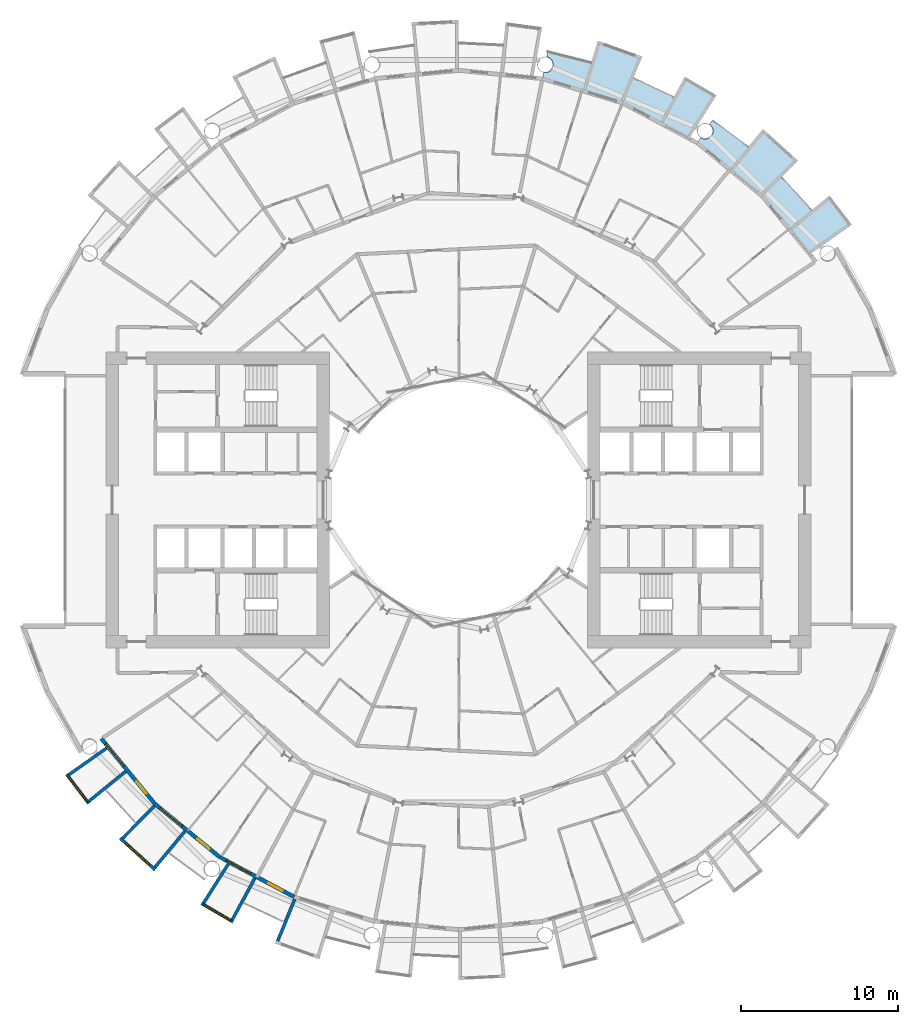
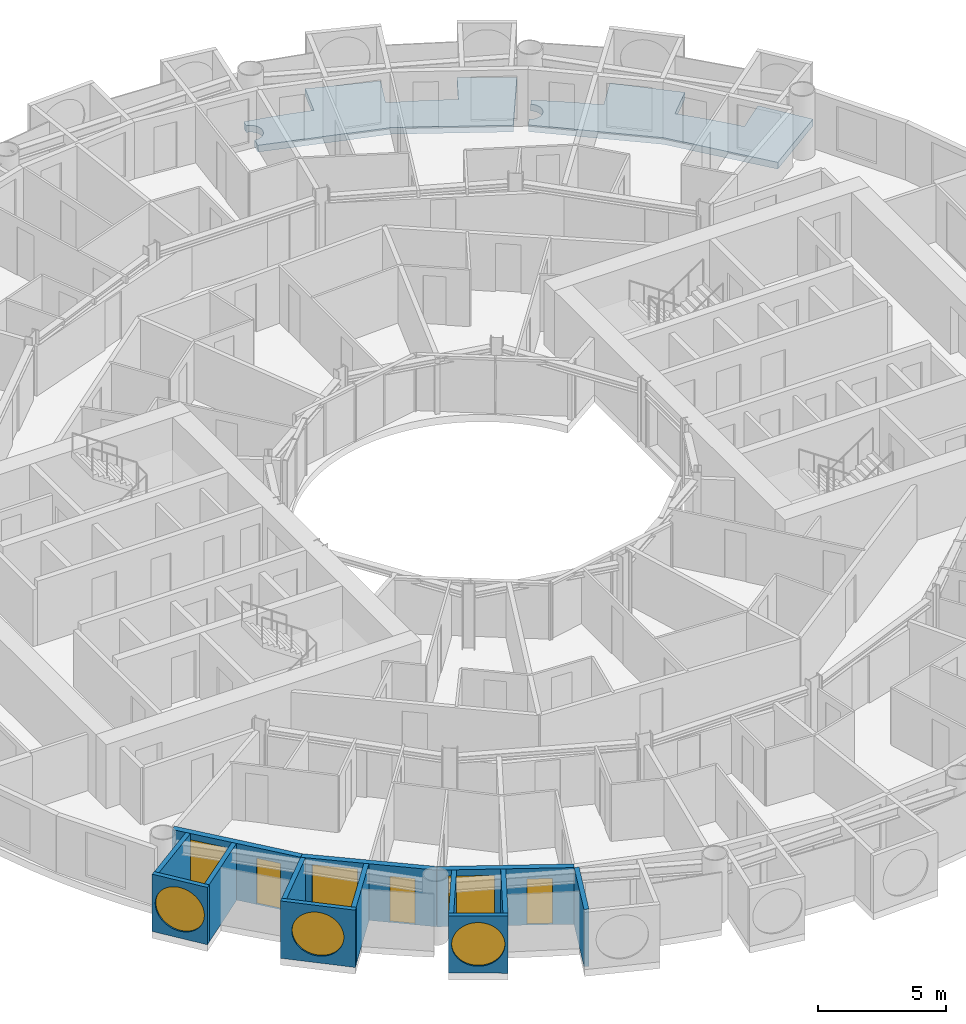
# One storey, part 12 of 25: 13 walls, 6 windows, 3 doors, 2 slabs, 9 openings.
"""IFC4 building model written with IfcOpenShell, lengths in metres."""

from ifc_helpers import new_model, si_unit, direction, frame, frame_2d, origin, place, context, subcontext, project, spatial, polyline, rectangle, circle, outline, extrude, material, layer, layer_set, type_object, element, fill, save


model = new_model("IFC4")

# Units and contexts
model_context = context("Model", 3, precision=1e-05, world=origin(), true_north=direction((0.0, 1.0)))
body_context = subcontext(model_context, "Body", "Model", "MODEL_VIEW")
ifc_project = project(units=[si_unit("LENGTHUNIT", "METRE"), si_unit("AREAUNIT", "SQUARE_METRE"), si_unit("VOLUMEUNIT", "CUBIC_METRE"), si_unit("PLANEANGLEUNIT", "RADIAN"), si_unit("MASSUNIT", "GRAM", prefix="KILO")], contexts=[model_context])

# Site, building, storey
site_placement = place(None, origin())
site = spatial("IfcSite", under=ifc_project, at=site_placement, CompositionType="ELEMENT")
building_placement = place(site_placement, origin())
building = spatial("IfcBuilding", under=site, at=building_placement, Name="Maasbend Ring Residences", CompositionType="ELEMENT")
storey_placement = place(building_placement, frame((0.0, 0.0, 41.10009765625)))
storey = spatial("IfcBuildingStorey", under=building, at=storey_placement, Name="L11", CompositionType="ELEMENT", Elevation=41.10009765625)

# Slabs
ifc_material_1 = material(Name="Concrete C40/50", Category="concrete")
ifc_layer_1 = layer(ifc_material_1, 0.199951171875)
ifc_layer_set_1 = layer_set([ifc_layer_1], Name="Concrete C40/50")
slab_type = type_object("IfcSlabType", Name="SL-LOGGIA", PredefinedType="FLOOR", material=ifc_layer_set_1)
slab_1_placement = place(storey_placement, frame((0.0, 0.0, -0.35009765625)))
element("IfcSlab", 1, at=slab_1_placement, inside=storey, type_object=slab_type, Name="Loggia floor 2", PredefinedType="FLOOR", context=body_context, shape_type="SweptSolid", body=[
    extrude(outline(polyline([(5.43896484375, 27.154052734375), (5.451904296875, 27.153076171875), (5.464111328125, 27.15087890625), (5.47705078125, 27.15087890625), (5.489013671875, 27.14990234375), (5.501953125, 27.14990234375), (5.513916015625, 27.14990234375), (5.52587890625, 27.15087890625), (5.5390625, 27.15087890625), (5.551025390625, 27.153076171875), (5.56396484375, 27.154052734375), (5.575927734375, 27.156005859375), (5.587890625, 27.157958984375), (5.60107421875, 27.159912109375), (5.613037109375, 27.162109375), (5.625, 27.1650390625), (5.636962890625, 27.1689453125), (5.64892578125, 27.172119140625), (5.660888671875, 27.176025390625), (5.673095703125, 27.179931640625), (5.68408203125, 27.18408203125), (5.696044921875, 27.18896484375), (5.70703125, 27.194091796875), (5.718994140625, 27.198974609375), (5.72998046875, 27.2041015625), (5.740966796875, 27.2099609375), (5.751953125, 27.216064453125), (5.762939453125, 27.221923828125), (5.77294921875, 27.22900390625), (5.783935546875, 27.236083984375), (5.7939453125, 27.242919921875), (5.803955078125, 27.25), (5.81396484375, 27.258056640625), (5.823974609375, 27.264892578125), (5.8330078125, 27.27294921875), (5.843017578125, 27.281982421875), (5.85205078125, 27.2900390625), (5.861083984375, 27.299072265625), (5.868896484375, 27.30810546875), (5.8779296875, 27.31689453125), (5.885986328125, 27.325927734375), (5.89404296875, 27.3359375), (5.902099609375, 27.345947265625), (5.909912109375, 27.35498046875), (5.9169921875, 27.365966796875), (5.924072265625, 27.3759765625), (5.930908203125, 27.385986328125), (5.93701171875, 27.39697265625), (5.944091796875, 27.407958984375), (5.949951171875, 27.4189453125), (5.955078125, 27.429931640625), (5.9609375, 27.44091796875), (5.966064453125, 27.451904296875), (5.970947265625, 27.464111328125), (5.97509765625, 27.47509765625), (5.97998046875, 27.487060546875), (5.98388671875, 27.4990234375), (5.988037109375, 27.510986328125), (5.990966796875, 27.52294921875), (5.993896484375, 27.534912109375), (5.9970703125, 27.547119140625), (6.0, 27.55908203125), (6.001953125, 27.571044921875), (6.00390625, 27.583984375), (6.006103515625, 27.595947265625), (6.007080078125, 27.60791015625), (6.008056640625, 27.62109375), (6.009033203125, 27.633056640625), (6.009033203125, 27.64599609375), (6.010009765625, 27.657958984375), (6.009033203125, 27.6708984375), (6.009033203125, 27.68310546875), (6.008056640625, 27.695068359375), (6.007080078125, 27.7080078125), (6.006103515625, 27.719970703125), (6.00390625, 27.73291015625), (6.001953125, 27.7451171875), (6.0, 27.757080078125), (5.9970703125, 27.76904296875), (5.993896484375, 27.781982421875), (5.990966796875, 27.7939453125), (5.988037109375, 27.805908203125), (5.98388671875, 27.81689453125), (5.97998046875, 27.8291015625), (5.97509765625, 27.841064453125), (5.970947265625, 27.85302734375), (5.966064453125, 27.864013671875), (5.9609375, 27.875), (5.955078125, 27.886962890625), (5.949951171875, 27.89794921875), (5.944091796875, 27.907958984375), (5.93701171875, 27.9189453125), (5.930908203125, 27.929931640625), (5.924072265625, 27.93994140625), (5.9169921875, 27.950927734375), (5.909912109375, 27.9609375), (5.902099609375, 27.970947265625), (5.89404296875, 27.97998046875), (5.885986328125, 27.989990234375), (5.8779296875, 27.9990234375), (5.868896484375, 28.008056640625), (5.861083984375, 28.01708984375), (5.85205078125, 28.02587890625), (5.843017578125, 28.034912109375), (5.8330078125, 28.04296875), (5.823974609375, 28.051025390625), (5.81396484375, 28.05908203125), (5.803955078125, 28.06591796875), (5.7939453125, 28.072998046875), (5.783935546875, 28.080078125), (5.77294921875, 28.0869140625), (5.762939453125, 28.093994140625), (5.751953125, 28.10009765625), (5.740966796875, 28.10595703125), (5.72998046875, 28.112060546875), (5.718994140625, 28.116943359375), (5.70703125, 28.123046875), (5.696044921875, 28.126953125), (5.68408203125, 28.132080078125), (5.673095703125, 28.135986328125), (5.660888671875, 28.139892578125), (5.64892578125, 28.14404296875), (5.636962890625, 28.14794921875), (5.625, 28.15087890625), (5.613037109375, 28.154052734375), (5.60107421875, 28.156005859375), (5.657958984375, 28.443115234375), (5.657958984375, 28.443115234375), (5.657958984375, 28.443115234375), (6.5849609375, 28.241943359375), (6.5849609375, 28.241943359375), (7.506103515625, 28.011962890625), (7.506103515625, 28.011962890625), (8.41796875, 27.7509765625), (8.41796875, 27.7509765625), (8.41796875, 27.7509765625), (8.41796875, 27.7509765625), (8.41796875, 27.7509765625), (8.41796875, 27.7509765625), (8.41796875, 27.7509765625), (8.41796875, 27.7509765625), (8.41796875, 27.7509765625), (8.41796875, 27.7509765625), (8.41796875, 27.751953125), (8.41796875, 27.751953125), (8.41796875, 27.751953125), (8.41796875, 27.751953125), (8.41796875, 27.751953125), (8.41796875, 27.751953125), (8.41796875, 27.751953125), (8.85400390625, 29.18701171875), (8.85400390625, 29.18701171875), (8.85400390625, 29.18701171875), (11.672119140625, 28.177978515625), (11.672119140625, 28.177978515625), (11.672119140625, 28.177978515625), (11.097900390625, 26.79296875), (11.097900390625, 26.79296875), (11.097900390625, 26.79296875), (11.097900390625, 26.79296875), (11.097900390625, 26.79296875), (11.097900390625, 26.79296875), (11.097900390625, 26.79296875), (11.097900390625, 26.79296875), (11.097900390625, 26.79296875), (11.097900390625, 26.79296875), (11.097900390625, 26.7919921875), (11.097900390625, 26.7919921875), (11.097900390625, 26.7919921875), (11.097900390625, 26.7919921875), (11.097900390625, 26.7919921875), (11.097900390625, 26.7919921875), (11.097900390625, 26.7919921875), (11.968994140625, 26.4150390625), (11.968994140625, 26.4150390625), (12.825927734375, 26.009033203125), (12.825927734375, 26.009033203125), (13.669921875, 25.575927734375), (13.669921875, 25.575927734375), (13.669921875, 25.575927734375), (13.669921875, 25.575927734375), (13.669921875, 25.575927734375), (13.669921875, 25.575927734375), (13.669921875, 25.575927734375), (13.669921875, 25.575927734375), (13.669921875, 25.575927734375), (13.669921875, 25.575927734375), (13.6708984375, 25.575927734375), (13.6708984375, 25.575927734375), (13.6708984375, 25.575927734375), (13.6708984375, 25.575927734375), (13.6708984375, 25.575927734375), (13.6708984375, 25.575927734375), (13.6708984375, 25.575927734375), (14.3779296875, 26.89892578125), (14.3779296875, 26.89892578125), (14.3779296875, 26.89892578125), (16.39404296875, 25.718994140625), (16.39404296875, 25.718994140625), (16.39404296875, 25.718994140625), (14.64599609375, 22.97705078125), (14.64599609375, 22.97705078125), (14.64599609375, 22.97705078125), (12.806884765625, 23.9609375), (10.447021484375, 25.221923828125), (10.447021484375, 25.221923828125), (10.447021484375, 25.221923828125), (7.886962890625, 25.9990234375), (5.325927734375, 26.77490234375), (5.325927734375, 26.77490234375), (5.325927734375, 26.77490234375), (5.402099609375, 27.159912109375), (5.4150390625, 27.157958984375), (5.427001953125, 27.156005859375), (5.43896484375, 27.154052734375)])), origin(), (0.0, 0.0, 1.0), 0.320068359375),
])
slab_2_placement = place(storey_placement, frame((0.0, 0.0, -0.35009765625)))
element("IfcSlab", 2, at=slab_2_placement, inside=storey, type_object=slab_type, Name="Loggia floor 4", PredefinedType="FLOOR", context=body_context, shape_type="SweptSolid", body=[
    extrude(outline(polyline([(15.406005859375, 23.011962890625), (15.4169921875, 23.0048828125), (15.427978515625, 22.9990234375), (15.43896484375, 22.993896484375), (15.449951171875, 22.988037109375), (15.4609375, 22.98291015625), (15.472900390625, 22.97802734375), (15.48388671875, 22.972900390625), (15.49609375, 22.968994140625), (15.508056640625, 22.965087890625), (15.52001953125, 22.9609375), (15.531982421875, 22.9580078125), (15.5439453125, 22.955078125), (15.555908203125, 22.951904296875), (15.568115234375, 22.948974609375), (15.580078125, 22.947021484375), (15.593017578125, 22.945068359375), (15.60498046875, 22.943115234375), (15.616943359375, 22.94189453125), (15.6298828125, 22.94091796875), (15.64208984375, 22.93994140625), (15.655029296875, 22.93994140625), (15.6669921875, 22.93896484375), (15.679931640625, 22.93994140625), (15.69189453125, 22.93994140625), (15.7041015625, 22.94091796875), (15.717041015625, 22.94189453125), (15.72900390625, 22.943115234375), (15.741943359375, 22.945068359375), (15.75390625, 22.947021484375), (15.76611328125, 22.948974609375), (15.778076171875, 22.951904296875), (15.791015625, 22.955078125), (15.802978515625, 22.9580078125), (15.81494140625, 22.9609375), (15.825927734375, 22.965087890625), (15.837890625, 22.968994140625), (15.85009765625, 22.972900390625), (15.862060546875, 22.97802734375), (15.873046875, 22.98291015625), (15.884033203125, 22.988037109375), (15.89599609375, 22.993896484375), (15.906982421875, 22.9990234375), (15.9169921875, 23.0048828125), (15.927978515625, 23.011962890625), (15.93896484375, 23.01806640625), (15.948974609375, 23.02490234375), (15.9599609375, 23.031982421875), (15.969970703125, 23.0390625), (15.97998046875, 23.047119140625), (15.989013671875, 23.054931640625), (15.9990234375, 23.06298828125), (16.008056640625, 23.071044921875), (16.01708984375, 23.0791015625), (16.02587890625, 23.087890625), (16.034912109375, 23.096923828125), (16.0439453125, 23.10595703125), (16.052001953125, 23.115966796875), (16.06005859375, 23.125), (16.068115234375, 23.135009765625), (16.074951171875, 23.14501953125), (16.08203125, 23.155029296875), (16.089111328125, 23.1650390625), (16.095947265625, 23.176025390625), (16.10302734375, 23.18603515625), (16.10888671875, 23.197021484375), (16.114990234375, 23.2080078125), (16.12109375, 23.218994140625), (16.1259765625, 23.22998046875), (16.132080078125, 23.241943359375), (16.135986328125, 23.2529296875), (16.14111328125, 23.264892578125), (16.14501953125, 23.27587890625), (16.14892578125, 23.2880859375), (16.153076171875, 23.300048828125), (16.156982421875, 23.31201171875), (16.159912109375, 23.323974609375), (16.1630859375, 23.3359375), (16.1650390625, 23.347900390625), (16.16796875, 23.361083984375), (16.169921875, 23.373046875), (16.1708984375, 23.385009765625), (16.173095703125, 23.39794921875), (16.174072265625, 23.409912109375), (16.174072265625, 23.422119140625), (16.175048828125, 23.43505859375), (16.175048828125, 23.447021484375), (16.175048828125, 23.4599609375), (16.174072265625, 23.471923828125), (16.174072265625, 23.485107421875), (16.173095703125, 23.4970703125), (16.1708984375, 23.510009765625), (16.169921875, 23.52197265625), (16.16796875, 23.533935546875), (16.1650390625, 23.547119140625), (16.1630859375, 23.55908203125), (16.159912109375, 23.571044921875), (16.156982421875, 23.5830078125), (16.153076171875, 23.594970703125), (16.14892578125, 23.60693359375), (16.14501953125, 23.618896484375), (16.14111328125, 23.6298828125), (16.135986328125, 23.64208984375), (16.132080078125, 23.653076171875), (16.1259765625, 23.6650390625), (16.12109375, 23.676025390625), (16.114990234375, 23.68701171875), (16.10888671875, 23.697998046875), (16.10302734375, 23.708984375), (16.095947265625, 23.718994140625), (16.089111328125, 23.72998046875), (16.08203125, 23.739990234375), (16.074951171875, 23.75), (16.068115234375, 23.760009765625), (16.06005859375, 23.77001953125), (16.052001953125, 23.779052734375), (16.0439453125, 23.7890625), (16.034912109375, 23.798095703125), (16.02587890625, 23.806884765625), (16.01708984375, 23.81494140625), (16.008056640625, 23.823974609375), (15.9990234375, 23.83203125), (15.989013671875, 23.840087890625), (15.97998046875, 23.847900390625), (15.969970703125, 23.85498046875), (15.9599609375, 23.863037109375), (15.948974609375, 23.8701171875), (15.948974609375, 23.8701171875), (16.112060546875, 24.113037109375), (16.112060546875, 24.113037109375), (16.112060546875, 24.113037109375), (16.89208984375, 23.572998046875), (16.89208984375, 23.572998046875), (17.654052734375, 23.007080078125), (17.654052734375, 23.007080078125), (18.39697265625, 22.41796875), (18.39697265625, 22.41796875), (18.39697265625, 22.41796875), (18.39697265625, 22.41796875), (18.39697265625, 22.41796875), (18.39697265625, 22.41796875), (18.39697265625, 22.41796875), (18.39697265625, 22.41796875), (18.39697265625, 22.41796875), (18.39697265625, 22.41796875), (18.39697265625, 22.41796875), (18.39794921875, 22.41796875), (18.39794921875, 22.41796875), (18.39794921875, 22.41796875), (18.39794921875, 22.41796875), (18.39794921875, 22.41796875), (18.39794921875, 22.41796875), (19.34912109375, 23.576904296875), (19.34912109375, 23.576904296875), (19.34912109375, 23.576904296875), (21.56689453125, 21.56689453125), (21.56689453125, 21.56689453125), (21.56689453125, 21.56689453125), (20.506103515625, 20.506103515625), (20.506103515625, 20.506103515625), (20.506103515625, 20.506103515625), (20.506103515625, 20.506103515625), (20.506103515625, 20.506103515625), (20.506103515625, 20.506103515625), (20.506103515625, 20.506103515625), (20.506103515625, 20.506103515625), (20.506103515625, 20.506103515625), (20.506103515625, 20.506103515625), (20.506103515625, 20.506103515625), (20.506103515625, 20.506103515625), (20.506103515625, 20.506103515625), (20.506103515625, 20.506103515625), (20.506103515625, 20.506103515625), (20.506103515625, 20.506103515625), (20.506103515625, 20.506103515625), (21.166015625, 19.823974609375), (21.166015625, 19.823974609375), (21.802978515625, 19.12109375), (21.802978515625, 19.12109375), (22.4169921875, 18.39794921875), (22.4169921875, 18.39794921875), (22.4169921875, 18.39794921875), (22.4169921875, 18.39794921875), (22.4169921875, 18.39794921875), (22.4169921875, 18.39794921875), (22.4169921875, 18.39794921875), (22.4169921875, 18.39794921875), (22.4169921875, 18.39794921875), (22.4169921875, 18.39794921875), (22.4169921875, 18.39794921875), (22.4169921875, 18.39794921875), (22.41796875, 18.39794921875), (22.41796875, 18.39794921875), (22.41796875, 18.39794921875), (22.41796875, 18.39794921875), (22.41796875, 18.39794921875), (23.576904296875, 19.34912109375), (23.576904296875, 19.34912109375), (23.576904296875, 19.34912109375), (24.989013671875, 17.488037109375), (24.989013671875, 17.488037109375), (24.989013671875, 17.488037109375), (22.324951171875, 15.623046875), (22.324951171875, 15.623046875), (22.324951171875, 15.623046875), (21.001953125, 17.236083984375), (19.303955078125, 19.303955078125), (19.303955078125, 19.303955078125), (19.303955078125, 19.303955078125), (17.236083984375, 21.001953125), (15.1669921875, 22.698974609375), (15.1669921875, 22.698974609375), (15.1669921875, 22.698974609375), (15.385009765625, 23.02490234375), (15.385009765625, 23.02490234375), (15.39501953125, 23.01806640625), (15.406005859375, 23.011962890625)])), origin(), (0.0, 0.0, 1.0), 0.320068359375),
])

# Wall, opening, window
ifc_material_2 = material(Name="Pale anodised aluminium panel", Category="aluminium")
ifc_layer_2 = layer(ifc_material_2, 0.199951171875)
ifc_layer_set_2 = layer_set([ifc_layer_2], Name="EW-BOX")
wall_type_1 = type_object("IfcWallType", Name="EW-BOX", PredefinedType="SOLIDWALL", material=ifc_layer_set_2)
wall_1_placement = place(storey_placement, frame((-24.908935546875, -17.427001953125, -0.030029296875), z_axis=(0.0, 0.0, 1.0), x_axis=(0.60418752353, -0.796842165306, 0.0)))
wall_1 = element("IfcWall", 3, at=wall_1_placement, inside=storey, type_object=wall_type_1, Name="Box front S01", PredefinedType="SOLIDWALL", context=body_context, shape_type="SweptSolid", body=[
    extrude(rectangle(XDim=2.3369140625, YDim=0.199951171875, at=frame_2d((1.16845703125, 0.0))), origin(), (0.0, 0.0, 1.0), 2.72998046875),
])
opening_1_placement = place(wall_1_placement, frame((0.128173828125, 0.0, 0.330078125)))
opening_1 = element("IfcOpeningElement", 4, at=opening_1_placement, cuts=wall_1, Name="Opening W-RD", PredefinedType="OPENING", context=body_context, shape_type="SweptSolid", body=[
    extrude(circle(Radius=1.0400390625, at=frame_2d((1.0400390625, 1.0400390625))), frame((0.0, 0.10986328125, 0.0), z_axis=(0.0, -1.0, 0.0), x_axis=(1.0, 0.0, 0.0)), (0.0, 0.0, 1.0), 0.219970703125),
])
ifc_material_3 = material(Name="Aluminium and clear glass", Category="aluminium")
window_type_1 = type_object("IfcWindowType", Name="W-RD", PartitioningType="SINGLE_PANEL", PredefinedType="WINDOW", material=ifc_material_3)
window_1_placement = place(opening_1_placement, origin())
window_1 = element("IfcWindow", 5, at=window_1_placement, inside=storey, type_object=window_type_1, Name="Round window S01", OverallHeight=2.080078125, OverallWidth=2.080078125, PartitioningType="SINGLE_PANEL", PredefinedType="WINDOW", context=body_context, shape_type="SweptSolid", body=[
    extrude(circle(Radius=1.0400390625, at=frame_2d((1.0400390625, 1.0400390625))), frame((0.0, 0.030029296875, 0.0), z_axis=(0.0, -1.0, 0.0), x_axis=(1.0, 0.0, 0.0)), (0.0, 0.0, 1.0), 0.06005859375),
])
fill(opening_1, window_1)

# Walls
wall_2_placement = place(storey_placement, frame((-22.3701171875, -15.764892578125, -0.030029296875), z_axis=(0.0, 0.0, 1.0), x_axis=(-0.817256123454, -0.576274612209, 0.0)))
element("IfcWall", 6, at=wall_2_placement, inside=storey, type_object=wall_type_1, Name="Box side wall S01 left", PredefinedType="SOLIDWALL", context=body_context, shape_type="SweptSolid", body=[
    extrude(rectangle(XDim=2.932861328125, YDim=0.199951171875, at=frame_2d((1.46630859375, 0.0))), origin(), (0.0, 0.0, 1.0), 2.72998046875),
])
wall_3_placement = place(storey_placement, frame((-21.155029296875, -17.24609375, -0.030029296875), z_axis=(0.0, 0.0, 1.0), x_axis=(-0.775179004516, -0.631741648902, 0.0)))
element("IfcWall", 7, at=wall_3_placement, inside=storey, type_object=wall_type_1, Name="Box side wall S01 right", PredefinedType="SOLIDWALL", context=body_context, shape_type="SweptSolid", body=[
    extrude(rectangle(XDim=3.005859375, YDim=0.199951171875, at=frame_2d((1.5029296875, 0.0))), origin(), (0.0, 0.0, 1.0), 2.72998046875),
])

# Wall, opening, window
wall_4_placement = place(storey_placement, frame((-21.5, -21.492919921875, -0.030029296875), z_axis=(0.0, 0.0, 1.0), x_axis=(0.740998365753, -0.671506829416, 0.0)))
wall_4 = element("IfcWall", 8, at=wall_4_placement, inside=storey, type_object=wall_type_1, Name="Box front S03", PredefinedType="SOLIDWALL", context=body_context, shape_type="SweptSolid", body=[
    extrude(rectangle(XDim=2.9931640625, YDim=0.199951171875, at=frame_2d((1.49658203125, 0.0))), origin(), (0.0, 0.0, 1.0), 2.72998046875),
])
opening_2_placement = place(wall_4_placement, frame((0.45654296875, 0.0, 0.330078125)))
opening_2 = element("IfcOpeningElement", 9, at=opening_2_placement, cuts=wall_4, Name="Opening W-RD", PredefinedType="OPENING", context=body_context, shape_type="SweptSolid", body=[
    extrude(circle(Radius=1.0400390625, at=frame_2d((1.0400390625, 1.0400390625))), frame((0.0, 0.10986328125, 0.0), z_axis=(0.0, -1.0, 0.0), x_axis=(1.0, 0.0, 0.0)), (0.0, 0.0, 1.0), 0.219970703125),
])
window_2_placement = place(opening_2_placement, origin())
window_2 = element("IfcWindow", 10, at=window_2_placement, inside=storey, type_object=window_type_1, Name="Round window S03", OverallHeight=2.080078125, OverallWidth=2.080078125, PartitioningType="SINGLE_PANEL", PredefinedType="WINDOW", context=body_context, shape_type="SweptSolid", body=[
    extrude(circle(Radius=1.0400390625, at=frame_2d((1.0400390625, 1.0400390625))), frame((0.0, 0.030029296875, 0.0), z_axis=(0.0, -1.0, 0.0), x_axis=(1.0, 0.0, 0.0)), (0.0, 0.0, 1.0), 0.06005859375),
])
fill(opening_2, window_2)

# Walls
wall_5_placement = place(storey_placement, frame((-19.322998046875, -19.449951171875, -0.030029296875), z_axis=(0.0, 0.0, 1.0), x_axis=(-0.704476739375, -0.709727076896, 0.0)))
element("IfcWall", 11, at=wall_5_placement, inside=storey, type_object=wall_type_1, Name="Box side wall S03 left", PredefinedType="SOLIDWALL", context=body_context, shape_type="SweptSolid", body=[
    extrude(rectangle(XDim=2.883056640625, YDim=0.199951171875, at=frame_2d((1.44140625, 0.0))), origin(), (0.0, 0.0, 1.0), 2.72998046875),
])
wall_6_placement = place(storey_placement, frame((-17.384033203125, -21.041015625, -0.030029296875), z_axis=(0.0, 0.0, 1.0), x_axis=(-0.63709551667, -0.770784861449, 0.0)))
element("IfcWall", 12, at=wall_6_placement, inside=storey, type_object=wall_type_1, Name="Box side wall S03 right", PredefinedType="SOLIDWALL", context=body_context, shape_type="SweptSolid", body=[
    extrude(rectangle(XDim=3.005859375, YDim=0.199951171875, at=frame_2d((1.5029296875, 0.0))), origin(), (0.0, 0.0, 1.0), 2.72998046875),
])

# Wall, opening, window
wall_7_placement = place(storey_placement, frame((-16.343994140625, -25.633056640625, -0.030029296875), z_axis=(0.0, 0.0, 1.0), x_axis=(0.863346521872, -0.504611517081, 0.0)))
wall_7 = element("IfcWall", 13, at=wall_7_placement, inside=storey, type_object=wall_type_1, Name="Box front S05", PredefinedType="SOLIDWALL", context=body_context, shape_type="SweptSolid", body=[
    extrude(rectangle(XDim=2.33642578125, YDim=0.199951171875, at=frame_2d((1.168212890625, 0.0))), origin(), (0.0, 0.0, 1.0), 2.72998046875),
])
opening_3_placement = place(wall_7_placement, frame((0.128173828125, 0.0, 0.330078125)))
opening_3 = element("IfcOpeningElement", 14, at=opening_3_placement, cuts=wall_7, Name="Opening W-RD", PredefinedType="OPENING", context=body_context, shape_type="SweptSolid", body=[
    extrude(circle(Radius=1.0400390625, at=frame_2d((1.0400390625, 1.0400390625))), frame((0.0, 0.10986328125, 0.0), z_axis=(0.0, -1.0, 0.0), x_axis=(1.0, 0.0, 0.0)), (0.0, 0.0, 1.0), 0.219970703125),
])
window_3_placement = place(opening_3_placement, origin())
window_3 = element("IfcWindow", 15, at=window_3_placement, inside=storey, type_object=window_type_1, Name="Round window S05", OverallHeight=2.080078125, OverallWidth=2.080078125, PartitioningType="SINGLE_PANEL", PredefinedType="WINDOW", context=body_context, shape_type="SweptSolid", body=[
    extrude(circle(Radius=1.0400390625, at=frame_2d((1.0400390625, 1.0400390625))), frame((0.0, 0.030029296875, 0.0), z_axis=(0.0, -1.0, 0.0), x_axis=(1.0, 0.0, 0.0)), (0.0, 0.0, 1.0), 0.06005859375),
])
fill(opening_3, window_3)

# Walls
wall_8_placement = place(storey_placement, frame((-14.635009765625, -23.1259765625, -0.030029296875), z_axis=(0.0, 0.0, 1.0), x_axis=(-0.534437802731, -0.845207805816, 0.0)))
element("IfcWall", 16, at=wall_8_placement, inside=storey, type_object=wall_type_1, Name="Box side wall S05 left", PredefinedType="SOLIDWALL", context=body_context, shape_type="SweptSolid", body=[
    extrude(rectangle(XDim=2.931884765625, YDim=0.199951171875, at=frame_2d((1.4658203125, 0.0))), origin(), (0.0, 0.0, 1.0), 2.72998046875),
])
wall_9_placement = place(storey_placement, frame((-12.945068359375, -24.029052734375, -0.030029296875), z_axis=(0.0, 0.0, 1.0), x_axis=(-0.474424310775, -0.88029629861, 0.0)))
element("IfcWall", 17, at=wall_9_placement, inside=storey, type_object=wall_type_1, Name="Box side wall S05 right", PredefinedType="SOLIDWALL", context=body_context, shape_type="SweptSolid", body=[
    extrude(rectangle(XDim=3.005859375, YDim=0.199951171875, at=frame_2d((1.5029296875, 0.0))), origin(), (0.0, 0.0, 1.0), 2.72998046875),
])
wall_10_placement = place(storey_placement, frame((-10.408935546875, -25.364013671875, -0.030029296875), z_axis=(0.0, 0.0, 1.0), x_axis=(-0.379509886562, -0.925187681501, 0.0)))
element("IfcWall", 18, at=wall_10_placement, inside=storey, type_object=wall_type_1, Name="Box side wall S07 left", PredefinedType="SOLIDWALL", context=body_context, shape_type="SweptSolid", body=[
    extrude(rectangle(XDim=2.882568359375, YDim=0.199951171875, at=frame_2d((1.44140625, 0.0))), origin(), (0.0, 0.0, 1.0), 2.72998046875),
])

# Wall, openings, door, window
ifc_material_4 = material(Name="Aluminium clad insulated panel", Category="aluminium")
ifc_layer_3 = layer(ifc_material_4, 0.25)
ifc_layer_set_3 = layer_set([ifc_layer_3], Name="EW-GL")
wall_type_2 = type_object("IfcWallType", Name="EW-GL", PredefinedType="SOLIDWALL", material=ifc_layer_set_3)
wall_11_placement = place(storey_placement, frame((-22.698974609375, -15.1669921875, 0.0), z_axis=(0.0, 0.0, 1.0), x_axis=(0.634382322723, -0.773019449054, 0.0)))
wall_11 = element("IfcWall", 19, at=wall_11_placement, inside=storey, type_object=wall_type_2, Name="External wall S01", PredefinedType="SOLIDWALL", context=body_context, shape_type="SweptSolid", body=[
    extrude(rectangle(XDim=5.351806640625, YDim=0.25, at=frame_2d((2.67578125, 0.0))), origin(), (0.0, 0.0, 1.0), 2.699951171875),
])
opening_4_placement = place(wall_11_placement, frame((0.441162109375, 0.0, 0.300048828125)))
opening_4 = element("IfcOpeningElement", 20, at=opening_4_placement, cuts=wall_11, Name="Opening W-BX", PredefinedType="OPENING", context=body_context, shape_type="SweptSolid", body=[
    extrude(rectangle(XDim=1.800048828125, YDim=2.10009765625, at=frame_2d((0.89990234375, 1.050048828125))), frame((0.0, 0.135009765625, 0.0), z_axis=(0.0, -1.0, 0.0), x_axis=(1.0, 0.0, 0.0)), (0.0, 0.0, 1.0), 0.27001953125),
])
opening_5_placement = place(wall_11_placement, frame((3.510498046875, 0.0, 0.0)))
opening_5 = element("IfcOpeningElement", 21, at=opening_5_placement, cuts=wall_11, Name="Opening D-LG", PredefinedType="OPENING", context=body_context, shape_type="SweptSolid", body=[
    extrude(rectangle(XDim=1.0, YDim=2.199951171875, at=frame_2d((0.5, 1.10009765625))), frame((0.0, 0.135009765625, 0.0), z_axis=(0.0, -1.0, 0.0), x_axis=(1.0, 0.0, 0.0)), (0.0, 0.0, 1.0), 0.27001953125),
])
ifc_material_5 = material(Name="Aluminium and clear glass", Category="aluminium")
door_type = type_object("IfcDoorType", Name="D-LG", OperationType="SINGLE_SWING_LEFT", PredefinedType="DOOR", material=ifc_material_5)
door_1_placement = place(opening_5_placement, origin())
door_1 = element("IfcDoor", 22, at=door_1_placement, inside=storey, type_object=door_type, Name="Loggia door S02", OperationType="SINGLE_SWING_LEFT", OverallHeight=2.199951171875, OverallWidth=1.0, PredefinedType="DOOR", context=body_context, shape_type="SweptSolid", body=[
    extrude(rectangle(XDim=1.0, YDim=2.199951171875, at=frame_2d((0.5, 1.10009765625))), frame((0.0, 0.02490234375, 0.0), z_axis=(0.0, -1.0, 0.0), x_axis=(1.0, 0.0, 0.0)), (0.0, 0.0, 1.0), 0.050048828125),
])
fill(opening_5, door_1)
ifc_material_6 = material(Name="Aluminium and clear glass", Category="aluminium")
window_type_2 = type_object("IfcWindowType", Name="W-BX", PartitioningType="DOUBLE_PANEL_VERTICAL", PredefinedType="WINDOW", material=ifc_material_6)
window_4_placement = place(opening_4_placement, origin())
window_4 = element("IfcWindow", 23, at=window_4_placement, inside=storey, type_object=window_type_2, Name="Window S01 room to box", OverallHeight=2.10009765625, OverallWidth=1.800048828125, PartitioningType="SINGLE_PANEL", PredefinedType="WINDOW", context=body_context, shape_type="SweptSolid", body=[
    extrude(rectangle(XDim=1.800048828125, YDim=2.10009765625, at=frame_2d((0.89990234375, 1.050048828125))), frame((0.0, 0.030029296875, 0.0), z_axis=(0.0, -1.0, 0.0), x_axis=(1.0, 0.0, 0.0)), (0.0, 0.0, 1.0), 0.06005859375),
])
fill(opening_4, window_4)

wall_12_placement = place(storey_placement, frame((-19.303955078125, -19.303955078125, 0.0), z_axis=(0.0, 0.0, 1.0), x_axis=(0.773019449054, -0.634382322723, 0.0)))
wall_12 = element("IfcWall", 24, at=wall_12_placement, inside=storey, type_object=wall_type_2, Name="External wall S02", PredefinedType="SOLIDWALL", context=body_context, shape_type="SweptSolid", body=[
    extrude(rectangle(XDim=5.351806640625, YDim=0.25, at=frame_2d((2.67578125, 0.0))), origin(), (0.0, 0.0, 1.0), 2.699951171875),
])
opening_6_placement = place(wall_12_placement, frame((0.441162109375, 0.0, 0.300048828125)))
opening_6 = element("IfcOpeningElement", 25, at=opening_6_placement, cuts=wall_12, Name="Opening W-BX", PredefinedType="OPENING", context=body_context, shape_type="SweptSolid", body=[
    extrude(rectangle(XDim=1.800048828125, YDim=2.10009765625, at=frame_2d((0.89990234375, 1.050048828125))), frame((0.0, 0.135009765625, 0.0), z_axis=(0.0, -1.0, 0.0), x_axis=(1.0, 0.0, 0.0)), (0.0, 0.0, 1.0), 0.27001953125),
])
opening_7_placement = place(wall_12_placement, frame((3.510498046875, 0.0, 0.0)))
opening_7 = element("IfcOpeningElement", 26, at=opening_7_placement, cuts=wall_12, Name="Opening D-LG", PredefinedType="OPENING", context=body_context, shape_type="SweptSolid", body=[
    extrude(rectangle(XDim=1.0, YDim=2.199951171875, at=frame_2d((0.5, 1.10009765625))), frame((0.0, 0.135009765625, 0.0), z_axis=(0.0, -1.0, 0.0), x_axis=(1.0, 0.0, 0.0)), (0.0, 0.0, 1.0), 0.27001953125),
])
door_2_placement = place(opening_7_placement, origin())
door_2 = element("IfcDoor", 27, at=door_2_placement, inside=storey, type_object=door_type, Name="Loggia door S04", OperationType="SINGLE_SWING_LEFT", OverallHeight=2.199951171875, OverallWidth=1.0, PredefinedType="DOOR", context=body_context, shape_type="SweptSolid", body=[
    extrude(rectangle(XDim=1.0, YDim=2.199951171875, at=frame_2d((0.5, 1.10009765625))), frame((0.0, 0.02490234375, 0.0), z_axis=(0.0, -1.0, 0.0), x_axis=(1.0, 0.0, 0.0)), (0.0, 0.0, 1.0), 0.050048828125),
])
fill(opening_7, door_2)
window_5_placement = place(opening_6_placement, origin())
window_5 = element("IfcWindow", 28, at=window_5_placement, inside=storey, type_object=window_type_2, Name="Window S03 room to box", OverallHeight=2.10009765625, OverallWidth=1.800048828125, PartitioningType="SINGLE_PANEL", PredefinedType="WINDOW", context=body_context, shape_type="SweptSolid", body=[
    extrude(rectangle(XDim=1.800048828125, YDim=2.10009765625, at=frame_2d((0.89990234375, 1.050048828125))), frame((0.0, 0.030029296875, 0.0), z_axis=(0.0, -1.0, 0.0), x_axis=(1.0, 0.0, 0.0)), (0.0, 0.0, 1.0), 0.06005859375),
])
fill(opening_6, window_5)

wall_13_placement = place(storey_placement, frame((-15.1669921875, -22.698974609375, 0.0), z_axis=(0.0, 0.0, 1.0), x_axis=(0.881915646801, -0.471407246368, 0.0)))
wall_13 = element("IfcWall", 29, at=wall_13_placement, inside=storey, type_object=wall_type_2, Name="External wall S03", PredefinedType="SOLIDWALL", context=body_context, shape_type="SweptSolid", body=[
    extrude(rectangle(XDim=5.35205078125, YDim=0.25, at=frame_2d((2.676025390625, 0.0))), origin(), (0.0, 0.0, 1.0), 2.699951171875),
])
opening_8_placement = place(wall_13_placement, frame((0.441162109375, 0.0, 0.300048828125)))
opening_8 = element("IfcOpeningElement", 30, at=opening_8_placement, cuts=wall_13, Name="Opening W-BX", PredefinedType="OPENING", context=body_context, shape_type="SweptSolid", body=[
    extrude(rectangle(XDim=1.800048828125, YDim=2.10009765625, at=frame_2d((0.89990234375, 1.050048828125))), frame((0.0, 0.135009765625, 0.0), z_axis=(0.0, -1.0, 0.0), x_axis=(1.0, 0.0, 0.0)), (0.0, 0.0, 1.0), 0.27001953125),
])
opening_9_placement = place(wall_13_placement, frame((3.510498046875, 0.0, 0.0)))
opening_9 = element("IfcOpeningElement", 31, at=opening_9_placement, cuts=wall_13, Name="Opening D-LG", PredefinedType="OPENING", context=body_context, shape_type="SweptSolid", body=[
    extrude(rectangle(XDim=1.0, YDim=2.199951171875, at=frame_2d((0.5, 1.10009765625))), frame((0.0, 0.135009765625, 0.0), z_axis=(0.0, -1.0, 0.0), x_axis=(1.0, 0.0, 0.0)), (0.0, 0.0, 1.0), 0.27001953125),
])
door_3_placement = place(opening_9_placement, origin())
door_3 = element("IfcDoor", 32, at=door_3_placement, inside=storey, type_object=door_type, Name="Loggia door S06", OperationType="SINGLE_SWING_LEFT", OverallHeight=2.199951171875, OverallWidth=1.0, PredefinedType="DOOR", context=body_context, shape_type="SweptSolid", body=[
    extrude(rectangle(XDim=1.0, YDim=2.199951171875, at=frame_2d((0.5, 1.10009765625))), frame((0.0, 0.02490234375, 0.0), z_axis=(0.0, -1.0, 0.0), x_axis=(1.0, 0.0, 0.0)), (0.0, 0.0, 1.0), 0.050048828125),
])
fill(opening_9, door_3)
window_6_placement = place(opening_8_placement, origin())
window_6 = element("IfcWindow", 33, at=window_6_placement, inside=storey, type_object=window_type_2, Name="Window S05 room to box", OverallHeight=2.10009765625, OverallWidth=1.800048828125, PartitioningType="SINGLE_PANEL", PredefinedType="WINDOW", context=body_context, shape_type="SweptSolid", body=[
    extrude(rectangle(XDim=1.800048828125, YDim=2.10009765625, at=frame_2d((0.89990234375, 1.050048828125))), frame((0.0, 0.030029296875, 0.0), z_axis=(0.0, -1.0, 0.0), x_axis=(1.0, 0.0, 0.0)), (0.0, 0.0, 1.0), 0.06005859375),
])
fill(opening_8, window_6)

save(model, "model.ifc")
